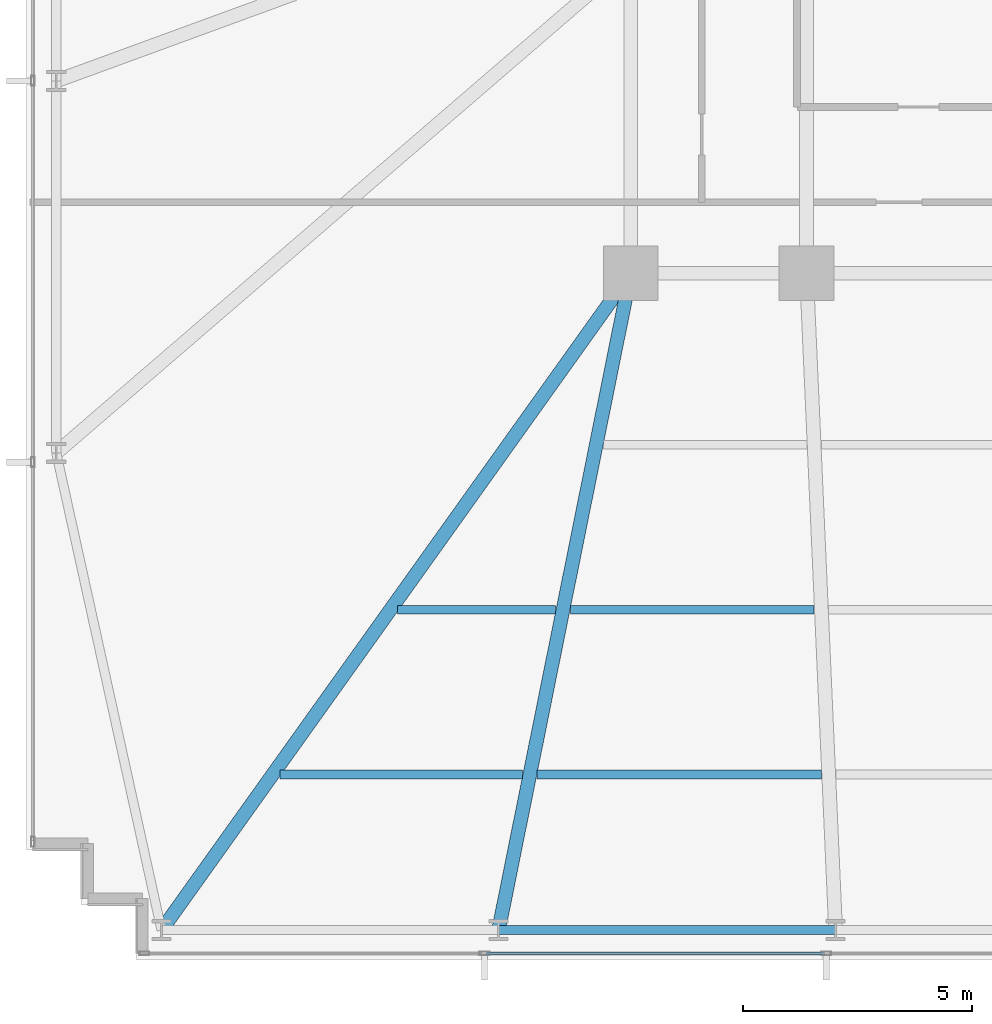
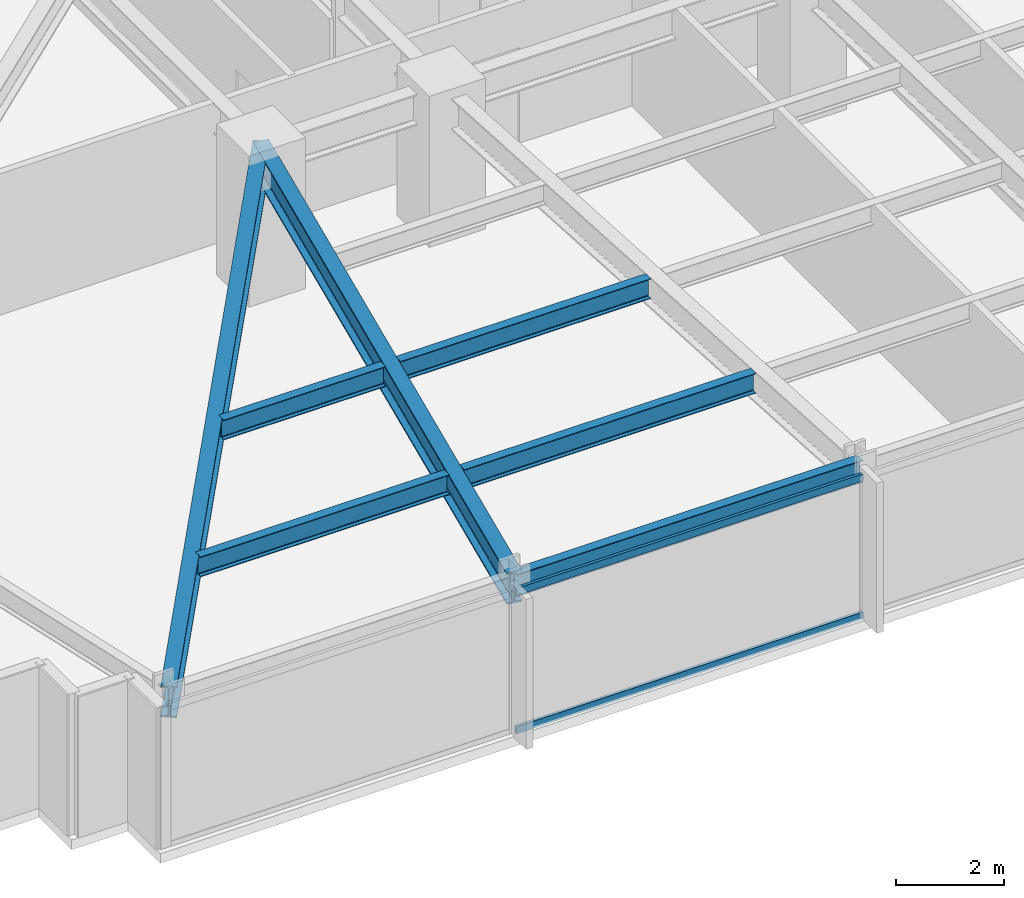
# One storey, part 3 of 32: 7 beams, 2 members, 1 element without a shape of its own.
"""IFC4 building model written with IfcOpenShell, lengths in metres."""

from ifc_helpers import new_model, si_unit, direction, frame, origin, origin_2d, place, context, subcontext, project, spatial, hollow_rectangle, i_section, extrude, material, material_profile, profile_set, type_object, element, aggregate, save


model = new_model("IFC4")

# Units and contexts
model_context = context("Model", 3, precision=1e-05, world=origin(), true_north=direction((0.0, 1.0)))
body_context = subcontext(model_context, "Body", "Model", "MODEL_VIEW")
ifc_project = project(units=[si_unit("LENGTHUNIT", "METRE"), si_unit("AREAUNIT", "SQUARE_METRE"), si_unit("VOLUMEUNIT", "CUBIC_METRE"), si_unit("PLANEANGLEUNIT", "RADIAN"), si_unit("MASSUNIT", "GRAM", prefix="KILO")], contexts=[model_context])

# Site, building, storey
site_placement = place(None, origin())
site = spatial("IfcSite", under=ifc_project, at=site_placement, CompositionType="ELEMENT")
building_placement = place(site_placement, origin())
building = spatial("IfcBuilding", under=site, at=building_placement, Name="Yelkora Congress Tower", CompositionType="ELEMENT")
storey_placement = place(building_placement, frame((0.0, 0.0, 61.0)))
storey = spatial("IfcBuildingStorey", under=building, at=storey_placement, Name="L15", CompositionType="ELEMENT", Elevation=61.0)

# Beams
ifc_material_1 = material(Name="Steel S355J2", Category="steel")
ifc_material_profile_1 = material_profile(ifc_material_1, i_section(OverallWidth=0.300048828125, OverallDepth=0.699951171875, WebThickness=0.01708984375, FlangeThickness=0.031982421875, FilletRadius=0.027099609375, at=origin_2d()), Name="HEB 700")
ifc_profile_set_1 = profile_set([ifc_material_profile_1], Name="Steel S355J2")
beam_type_1 = type_object("IfcBeamType", Name="BM-GIRD-HEB700", PredefinedType="BEAM", material=ifc_profile_set_1)
beam_1_placement = place(storey_placement, frame((8.949951171875, 10.85009765625, 2.830078125), z_axis=(0.581242122521, 0.813730664906, 0.0), x_axis=(-0.813730664906, 0.581242122521, 0.0)))
element("IfcBeam", 1, at=beam_1_placement, inside=storey, type_object=beam_type_1, Name="L15 Primary Frame Girder S01", PredefinedType="BEAM", context=body_context, shape_type="SweptSolid", body=[
    extrude(i_section(OverallWidth=0.300048828125, OverallDepth=0.699951171875, WebThickness=0.01708984375, FlangeThickness=0.031982421875, FilletRadius=0.027099609375, at=origin_2d()), origin(), (0.0, 0.0, 1.0), 17.634765625),
])
beam_2_placement = place(storey_placement, frame((16.3125, 10.85009765625, 2.830078125), z_axis=(0.197264295931, 0.980350344291, 0.0), x_axis=(-0.980350344291, 0.197264295931, 0.0)))
element("IfcBeam", 2, at=beam_2_placement, inside=storey, type_object=beam_type_1, Name="L15 Primary Frame Girder S02", PredefinedType="BEAM", context=body_context, shape_type="SweptSolid", body=[
    extrude(i_section(OverallWidth=0.300048828125, OverallDepth=0.699951171875, WebThickness=0.01708984375, FlangeThickness=0.031982421875, FilletRadius=0.027099609375, at=origin_2d()), origin(), (0.0, 0.0, 1.0), 14.637451171875),
])
ifc_material_profile_2 = material_profile(ifc_material_1, i_section(OverallWidth=0.18994140625, OverallDepth=0.449951171875, WebThickness=0.009521484375, FlangeThickness=0.0146484375, FilletRadius=0.02099609375, at=origin_2d()), Name="IPE 450")
ifc_profile_set_2 = profile_set([ifc_material_profile_2], Name="Steel S355J2")
beam_type_2 = type_object("IfcBeamType", Name="BM-JOIST-IPE450", PredefinedType="JOIST", material=ifc_profile_set_2)
beam_3_placement = place(storey_placement, frame((11.53857421875, 14.25, 2.955078125), z_axis=(1.0, 0.0, 0.0), x_axis=(0.0, 1.0, 0.0)))
element("IfcBeam", 3, at=beam_3_placement, inside=storey, type_object=beam_type_2, Name="L15 Composite Floor Joist 1", PredefinedType="JOIST", context=body_context, shape_type="SweptSolid", body=[
    extrude(i_section(OverallWidth=0.18994140625, OverallDepth=0.449951171875, WebThickness=0.009521484375, FlangeThickness=0.0146484375, FilletRadius=0.02099609375, at=origin_2d()), origin(), (0.0, 0.0, 1.0), 5.298095703125),
])
beam_4_placement = place(storey_placement, frame((17.156494140625, 14.25, 2.955078125), z_axis=(1.0, 0.0, 0.0), x_axis=(0.0, 1.0, 0.0)))
element("IfcBeam", 4, at=beam_4_placement, inside=storey, type_object=beam_type_2, Name="L15 Composite Floor Joist 2", PredefinedType="JOIST", context=body_context, shape_type="SweptSolid", body=[
    extrude(i_section(OverallWidth=0.18994140625, OverallDepth=0.449951171875, WebThickness=0.009521484375, FlangeThickness=0.0146484375, FilletRadius=0.02099609375, at=origin_2d()), origin(), (0.0, 0.0, 1.0), 6.2080078125),
])
beam_5_placement = place(storey_placement, frame((14.110107421875, 17.85009765625, 2.955078125), z_axis=(1.0, 0.0, 0.0), x_axis=(0.0, 1.0, 0.0)))
element("IfcBeam", 5, at=beam_5_placement, inside=storey, type_object=beam_type_2, Name="L15 Composite Floor Joist 9", PredefinedType="JOIST", context=body_context, shape_type="SweptSolid", body=[
    extrude(i_section(OverallWidth=0.18994140625, OverallDepth=0.449951171875, WebThickness=0.009521484375, FlangeThickness=0.0146484375, FilletRadius=0.02099609375, at=origin_2d()), origin(), (0.0, 0.0, 1.0), 3.450927734375),
])
beam_6_placement = place(storey_placement, frame((17.881103515625, 17.85009765625, 2.955078125), z_axis=(1.0, 0.0, 0.0), x_axis=(0.0, 1.0, 0.0)))
element("IfcBeam", 6, at=beam_6_placement, inside=storey, type_object=beam_type_2, Name="L15 Composite Floor Joist 10", PredefinedType="JOIST", context=body_context, shape_type="SweptSolid", body=[
    extrude(i_section(OverallWidth=0.18994140625, OverallDepth=0.449951171875, WebThickness=0.009521484375, FlangeThickness=0.0146484375, FilletRadius=0.02099609375, at=origin_2d()), origin(), (0.0, 0.0, 1.0), 5.323974609375),
])
ifc_material_profile_3 = material_profile(ifc_material_1, i_section(OverallWidth=0.199951171875, OverallDepth=0.5, WebThickness=0.01025390625, FlangeThickness=0.01611328125, FilletRadius=0.02099609375, at=origin_2d()), Name="IPE 500")
ifc_profile_set_3 = profile_set([ifc_material_profile_3], Name="Steel S355J2")
beam_type_3 = type_object("IfcBeamType", Name="BM-SPAN-IPE500", PredefinedType="SPANDREL", material=ifc_profile_set_3)
beam_7_placement = place(storey_placement, frame((16.3125, 10.85009765625, 2.929931640625), z_axis=(1.0, 0.0, 0.0), x_axis=(0.0, 1.0, 0.0)))
element("IfcBeam", 7, at=beam_7_placement, inside=storey, type_object=beam_type_3, Name="L15 Perimeter Beam 3", PredefinedType="SPANDREL", context=body_context, shape_type="SweptSolid", body=[
    extrude(i_section(OverallWidth=0.199951171875, OverallDepth=0.5, WebThickness=0.01025390625, FlangeThickness=0.01611328125, FilletRadius=0.02099609375, at=origin_2d()), origin(), (0.0, 0.0, 1.0), 7.362548828125),
])

# Curtain wall, members
ifc_material_2 = material(Name="Anodised aluminium and insulated glass", Category="aluminium")
curtain_wall_type = type_object("IfcCurtainWallType", Name="CW-SYS-B1", PredefinedType="NOTDEFINED", material=ifc_material_2)
curtain_wall_placement = place(storey_placement, origin())
curtain_wall = element("IfcCurtainWall", 8, at=curtain_wall_placement, inside=storey, type_object=curtain_wall_type, Name="L15 Unitised Curtain Wall 20", PredefinedType="NOTDEFINED")
ifc_material_3 = material(Name="Anodised aluminium 6063-T6", Category="aluminium")
ifc_material_profile_4 = material_profile(ifc_material_3, hollow_rectangle(XDim=0.06494140625, YDim=0.159912109375, WallThickness=0.00390625, at=origin_2d()), Name="ALU 65x160x4")
ifc_profile_set_4 = profile_set([ifc_material_profile_4], Name="Anodised aluminium 6063-T6")
member_type = type_object("IfcMemberType", Name="MEM-TR-B1", PredefinedType="USERDEFINED", material=ifc_profile_set_4)
member_1_placement = place(storey_placement, frame((23.4326171875, 10.340087890625, 0.032470703125), z_axis=(-1.0, 0.0, 0.0), x_axis=(0.0, -1.0, 0.0)))
member_1 = element("IfcMember", 9, at=member_1_placement, type_object=member_type, Name="CW-B1 transom 7.1", ObjectType="TRANSOM", PredefinedType="USERDEFINED", context=body_context, shape_type="SweptSolid", body=[
    extrude(hollow_rectangle(XDim=0.06494140625, YDim=0.159912109375, WallThickness=0.00390625, at=origin_2d()), origin(), (0.0, 0.0, 1.0), 7.39013671875),
])
member_2_placement = place(storey_placement, frame((23.4326171875, 10.340087890625, 3.1474609375), z_axis=(-1.0, 0.0, 0.0), x_axis=(0.0, -1.0, 0.0)))
member_2 = element("IfcMember", 10, at=member_2_placement, type_object=member_type, Name="CW-B1 transom 7.2", ObjectType="TRANSOM", PredefinedType="USERDEFINED", context=body_context, shape_type="SweptSolid", body=[
    extrude(hollow_rectangle(XDim=0.06494140625, YDim=0.159912109375, WallThickness=0.00390625, at=origin_2d()), origin(), (0.0, 0.0, 1.0), 7.39013671875),
])
aggregate(curtain_wall, [member_1, member_2])

save(model, "model.ifc")
